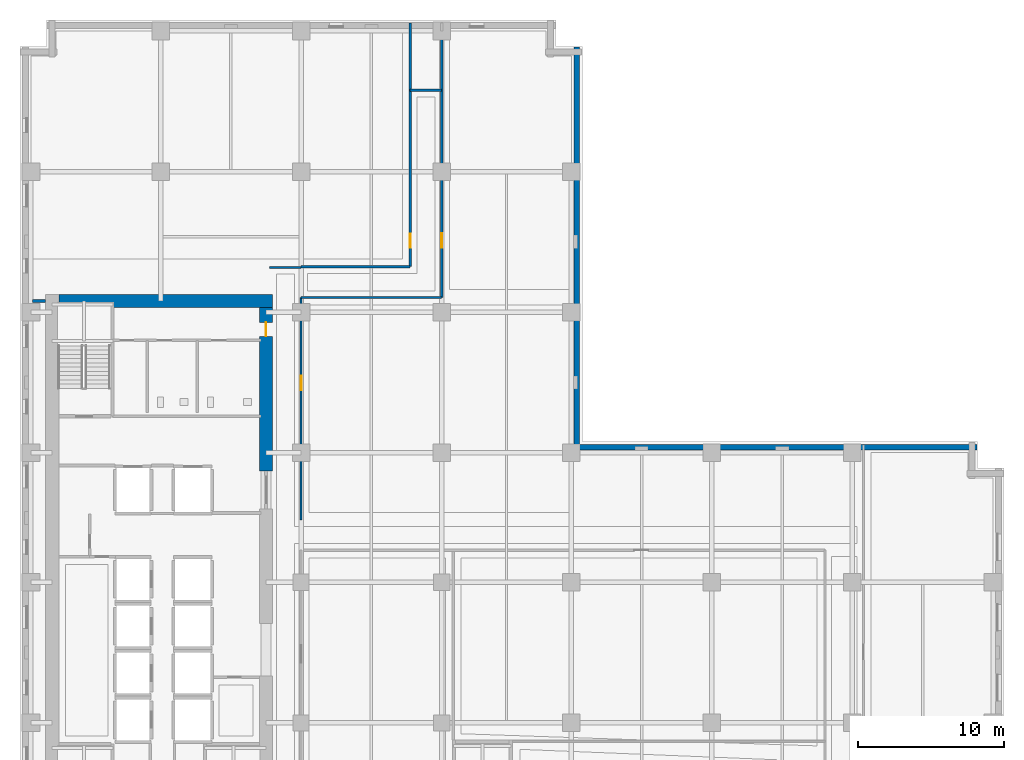
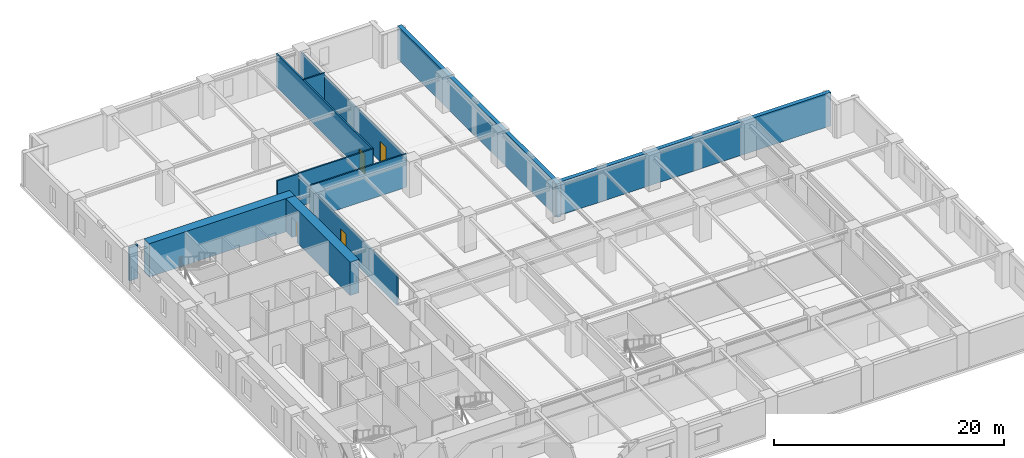
# One storey, part 7 of 14: 12 walls, 4 doors, 4 openings.
"""IFC4 building model written with IfcOpenShell, lengths in metres."""

from ifc_helpers import new_model, si_unit, direction, frame, frame_2d, origin, place, context, subcontext, project, spatial, rectangle, extrude, material, layer, layer_set, type_object, element, fill, save


model = new_model("IFC4")

# Units and contexts
model_context = context("Model", 3, precision=1e-05, world=origin(), true_north=direction((0.0, 1.0)))
body_context = subcontext(model_context, "Body", "Model", "MODEL_VIEW")
ifc_project = project(units=[si_unit("LENGTHUNIT", "METRE"), si_unit("AREAUNIT", "SQUARE_METRE"), si_unit("VOLUMEUNIT", "CUBIC_METRE"), si_unit("PLANEANGLEUNIT", "RADIAN"), si_unit("MASSUNIT", "GRAM", prefix="KILO")], contexts=[model_context])

# Site, building, storey
site_placement = place(None, origin())
site = spatial("IfcSite", under=ifc_project, at=site_placement, CompositionType="ELEMENT")
building_placement = place(site_placement, origin())
building = spatial("IfcBuilding", under=site, at=building_placement, Name="Norrvale University Quadrangle", CompositionType="ELEMENT")
storey_placement = place(building_placement, frame((0.0, 0.0, 50.800048828125)))
storey = spatial("IfcBuildingStorey", under=building, at=storey_placement, Name="L12", CompositionType="ELEMENT", Elevation=50.800048828125)

# Wall
ifc_material_1 = material(Name="Concrete C80/95", Category="concrete")
ifc_layer_1 = layer(ifc_material_1, 0.89990234375, Name="Concrete C80/95")
ifc_layer_set_1 = layer_set([ifc_layer_1], Name="Concrete C80/95")
wall_type_1 = type_object("IfcWallType", Name="Wall Core 900", PredefinedType="SHEAR", material=ifc_layer_set_1)
wall_1_placement = place(storey_placement, frame((2.64990234375, 48.0, 0.0), z_axis=(0.0, 0.0, 1.0), x_axis=(1.0, 0.0, 0.0)))
element("IfcWall", 1, at=wall_1_placement, inside=storey, type_object=wall_type_1, Name="Tower Core Shear Wall L12-N", PredefinedType="SHEAR", context=body_context, shape_type="SweptSolid", body=[
    extrude(rectangle(XDim=14.60009765625, YDim=0.89990234375, at=frame_2d((7.300048828125, 0.0))), origin(), (0.0, 0.0, 1.0), 3.5400390625),
])

# Wall, opening, door
wall_2_placement = place(storey_placement, frame((16.800048828125, 36.39990234375, 0.0), z_axis=(0.0, 0.0, 1.0), x_axis=(0.0, 1.0, 0.0)))
wall_2 = element("IfcWall", 2, at=wall_2_placement, inside=storey, type_object=wall_type_1, Name="Tower Core Shear Wall L12-E3", PredefinedType="SHEAR", context=body_context, shape_type="SweptSolid", body=[
    extrude(rectangle(XDim=11.150146484375, YDim=0.89990234375, at=frame_2d((5.5751953125, 0.0))), origin(), (0.0, 0.0, 1.0), 3.5400390625),
])
opening_1_placement = place(wall_2_placement, frame((9.199951171875, 0.0, 0.0)))
opening_1 = element("IfcOpeningElement", 3, at=opening_1_placement, cuts=wall_2, Name="Opening D07", PredefinedType="OPENING", context=body_context, shape_type="SweptSolid", body=[
    extrude(rectangle(XDim=0.949951171875, YDim=2.14990234375, at=frame_2d((0.47509765625, 1.074951171875))), frame((0.0, 0.4619140625, 0.0), z_axis=(0.0, -1.0, 0.0), x_axis=(1.0, 0.0, 0.0)), (0.0, 0.0, 1.0), 0.923828125),
])
ifc_material_2 = material(Name="Solid-Core Maple Door", Category="wood")
door_type_1 = type_object("IfcDoorType", Name="Door Office 950x2150", OperationType="NOTDEFINED", PredefinedType="DOOR", material=ifc_material_2)
door_1_placement = place(opening_1_placement, origin())
door_1 = element("IfcDoor", 4, at=door_1_placement, inside=storey, type_object=door_type_1, Name="Door Office 950x2150 DR-L12-NECORR", OperationType="SINGLE_SWING_LEFT", OverallHeight=2.14990234375, OverallWidth=0.949951171875, PredefinedType="DOOR", context=body_context, shape_type="SweptSolid", body=[
    extrude(rectangle(XDim=0.949951171875, YDim=2.14990234375, at=frame_2d((0.47509765625, 1.074951171875))), frame((0.0, 0.02490234375, 0.0), z_axis=(0.0, -1.0, 0.0), x_axis=(1.0, 0.0, 0.0)), (0.0, 0.0, 1.0), 0.050048828125),
])
fill(opening_1, door_1)

# Wall
ifc_material_3 = material(Name="Fire-Rated Gypsum Stud Partition")
ifc_layer_2 = layer(ifc_material_3, 0.14990234375, Name="Fire-Rated Gypsum Stud Partition")
ifc_layer_set_2 = layer_set([ifc_layer_2], Name="Fire-Rated Gypsum Stud Partition")
wall_type_2 = type_object("IfcWallType", Name="Wall Gypsum Corridor 150", PredefinedType="PARTITIONING", material=ifc_layer_set_2)
wall_3_placement = place(storey_placement, frame((17.050048828125, 50.300048828125, 0.0), z_axis=(0.0, 0.0, 1.0), x_axis=(1.0, 0.0, 0.0)))
element("IfcWall", 5, at=wall_3_placement, inside=storey, type_object=wall_type_2, Name="Interior Partition WL-L12-CN-END", PredefinedType="PARTITIONING", context=body_context, shape_type="SweptSolid", body=[
    extrude(rectangle(XDim=2.14990234375, YDim=0.14990234375, at=frame_2d((1.074951171875, 0.0))), origin(), (0.0, 0.0, 1.0), 3.5400390625),
])

# Wall, opening, door
wall_4_placement = place(storey_placement, frame((19.199951171875, 33.050048828125, 0.0), z_axis=(0.0, 0.0, 1.0), x_axis=(0.0, 1.0, 0.0)))
wall_4 = element("IfcWall", 6, at=wall_4_placement, inside=storey, type_object=wall_type_2, Name="Interior Partition WL-L12-MNECW", PredefinedType="PARTITIONING", context=body_context, shape_type="SweptSolid", body=[
    extrude(rectangle(XDim=15.199951171875, YDim=0.14990234375, at=frame_2d((7.60009765625, 0.0))), origin(), (0.0, 0.0, 1.0), 3.23193359375),
])
opening_2_placement = place(wall_4_placement, frame((8.85009765625, 0.0, 0.0)))
opening_2 = element("IfcOpeningElement", 7, at=opening_2_placement, cuts=wall_4, Name="Opening D04", PredefinedType="OPENING", context=body_context, shape_type="SweptSolid", body=[
    extrude(rectangle(XDim=1.0, YDim=2.199951171875, at=frame_2d((0.5, 1.10009765625))), frame((0.0, 0.0869140625, 0.0), z_axis=(0.0, -1.0, 0.0), x_axis=(1.0, 0.0, 0.0)), (0.0, 0.0, 1.0), 0.173828125),
])
ifc_material_4 = material(Name="Solid-Core Oak Fire Door", Category="wood")
door_type_2 = type_object("IfcDoorType", Name="Door Corridor 1000x2200", OperationType="NOTDEFINED", PredefinedType="DOOR", material=ifc_material_4)
door_2_placement = place(opening_2_placement, origin())
door_2 = element("IfcDoor", 8, at=door_2_placement, inside=storey, type_object=door_type_2, Name="Door Corridor 1000x2200 DR-L12-MNE01", OperationType="SINGLE_SWING_RIGHT", OverallHeight=2.199951171875, OverallWidth=1.0, PredefinedType="DOOR", context=body_context, shape_type="SweptSolid", body=[
    extrude(rectangle(XDim=1.0, YDim=2.199951171875, at=frame_2d((0.5, 1.10009765625))), frame((0.0, 0.02490234375, 0.0), z_axis=(0.0, -1.0, 0.0), x_axis=(1.0, 0.0, 0.0)), (0.0, 0.0, 1.0), 0.050048828125),
])
fill(opening_2, door_2)

# Walls
wall_5_placement = place(storey_placement, frame((19.199951171875, 48.25, 0.0), z_axis=(0.0, 0.0, 1.0), x_axis=(1.0, 0.0, 0.0)))
element("IfcWall", 9, at=wall_5_placement, inside=storey, type_object=wall_type_2, Name="Interior Partition WL-L12-JOGS", PredefinedType="PARTITIONING", context=body_context, shape_type="SweptSolid", body=[
    extrude(rectangle(XDim=9.60009765625, YDim=0.14990234375, at=frame_2d((4.800048828125, 0.0))), origin(), (0.0, 0.0, 1.0), 3.5400390625),
])
wall_6_placement = place(storey_placement, frame((19.199951171875, 50.35009765625, 0.0), z_axis=(0.0, 0.0, 1.0), x_axis=(1.0, 0.0, 0.0)))
element("IfcWall", 10, at=wall_6_placement, inside=storey, type_object=wall_type_2, Name="Interior Partition WL-L12-JOGN", PredefinedType="PARTITIONING", context=body_context, shape_type="SweptSolid", body=[
    extrude(rectangle(XDim=7.449951171875, YDim=0.14990234375, at=frame_2d((3.72509765625, 0.0))), origin(), (0.0, 0.0, 1.0), 3.5400390625),
])
wall_7_placement = place(storey_placement, frame((26.64990234375, 62.39990234375, 0.0), z_axis=(0.0, 0.0, 1.0), x_axis=(1.0, 0.0, 0.0)))
element("IfcWall", 11, at=wall_7_placement, inside=storey, type_object=wall_type_2, Name="Interior Partition WL-L12-JOGEND", PredefinedType="PARTITIONING", context=body_context, shape_type="SweptSolid", body=[
    extrude(rectangle(XDim=2.150146484375, YDim=0.14990234375, at=frame_2d((1.0751953125, 0.0))), origin(), (0.0, 0.0, 1.0), 3.5400390625),
])

# Wall, opening, door
wall_8_placement = place(storey_placement, frame((28.800048828125, 48.25, 0.0), z_axis=(0.0, 0.0, 1.0), x_axis=(0.0, 1.0, 0.0)))
wall_8 = element("IfcWall", 12, at=wall_8_placement, inside=storey, type_object=wall_type_2, Name="Interior Partition WL-L12-NECW", PredefinedType="PARTITIONING", context=body_context, shape_type="SweptSolid", body=[
    extrude(rectangle(XDim=18.199951171875, YDim=0.14990234375, at=frame_2d((9.10009765625, 0.0))), origin(), (0.0, 0.0, 1.0), 3.23193359375),
])
opening_3_placement = place(wall_8_placement, frame((3.39990234375, 0.0, 0.0)))
opening_3 = element("IfcOpeningElement", 13, at=opening_3_placement, cuts=wall_8, Name="Opening D04", PredefinedType="OPENING", context=body_context, shape_type="SweptSolid", body=[
    extrude(rectangle(XDim=1.0, YDim=2.199951171875, at=frame_2d((0.5, 1.10009765625))), frame((0.0, 0.0869140625, 0.0), z_axis=(0.0, -1.0, 0.0), x_axis=(1.0, 0.0, 0.0)), (0.0, 0.0, 1.0), 0.173828125),
])
door_3_placement = place(opening_3_placement, origin())
door_3 = element("IfcDoor", 14, at=door_3_placement, inside=storey, type_object=door_type_2, Name="Door Corridor 1000x2200 DR-L12-NE01", OperationType="SINGLE_SWING_RIGHT", OverallHeight=2.199951171875, OverallWidth=1.0, PredefinedType="DOOR", context=body_context, shape_type="SweptSolid", body=[
    extrude(rectangle(XDim=1.0, YDim=2.199951171875, at=frame_2d((0.5, 1.10009765625))), frame((0.0, 0.02490234375, 0.0), z_axis=(0.0, -1.0, 0.0), x_axis=(1.0, 0.0, 0.0)), (0.0, 0.0, 1.0), 0.050048828125),
])
fill(opening_3, door_3)

wall_9_placement = place(storey_placement, frame((26.64990234375, 50.35009765625, 0.0), z_axis=(0.0, 0.0, 1.0), x_axis=(0.0, 1.0, 0.0)))
wall_9 = element("IfcWall", 15, at=wall_9_placement, inside=storey, type_object=wall_type_2, Name="Interior Partition WL-L12-NWCW", PredefinedType="PARTITIONING", context=body_context, shape_type="SweptSolid", body=[
    extrude(rectangle(XDim=16.6298828125, YDim=0.14990234375, at=frame_2d((8.31494140625, 0.0))), origin(), (0.0, 0.0, 1.0), 3.5400390625),
])
opening_4_placement = place(wall_9_placement, frame((1.300048828125, 0.0, 0.0)))
opening_4 = element("IfcOpeningElement", 16, at=opening_4_placement, cuts=wall_9, Name="Opening D07", PredefinedType="OPENING", context=body_context, shape_type="SweptSolid", body=[
    extrude(rectangle(XDim=0.949951171875, YDim=2.14990234375, at=frame_2d((0.47509765625, 1.074951171875))), frame((0.0, 0.0869140625, 0.0), z_axis=(0.0, -1.0, 0.0), x_axis=(1.0, 0.0, 0.0)), (0.0, 0.0, 1.0), 0.173828125),
])
door_4_placement = place(opening_4_placement, origin())
door_4 = element("IfcDoor", 17, at=door_4_placement, inside=storey, type_object=door_type_1, Name="Door Office 950x2150 DR-L12-NW01", OperationType="SINGLE_SWING_RIGHT", OverallHeight=2.14990234375, OverallWidth=0.949951171875, PredefinedType="DOOR", context=body_context, shape_type="SweptSolid", body=[
    extrude(rectangle(XDim=0.949951171875, YDim=2.14990234375, at=frame_2d((0.47509765625, 1.074951171875))), frame((0.0, 0.02490234375, 0.0), z_axis=(0.0, -1.0, 0.0), x_axis=(1.0, 0.0, 0.0)), (0.0, 0.0, 1.0), 0.050048828125),
])
fill(opening_4, door_4)

# Walls
ifc_material_5 = material(Name="Concrete Blockwork 20 MPa Rated Wall", Category="masonry")
ifc_layer_3 = layer(ifc_material_5, 0.199951171875, Name="Concrete Blockwork 20 MPa Rated Wall")
ifc_layer_set_3 = layer_set([ifc_layer_3], Name="Concrete Blockwork 20 MPa Rated Wall")
wall_type_3 = type_object("IfcWallType", Name="Wall Lobby 200", PredefinedType="SOLIDWALL", material=ifc_layer_set_3)
wall_10_placement = place(storey_placement, frame((0.85009765625, 48.0, 0.0), z_axis=(0.0, 0.0, 1.0), x_axis=(1.0, 0.0, 0.0)))
element("IfcWall", 18, at=wall_10_placement, inside=storey, type_object=wall_type_3, Name="Interior Partition WL-L12-CWRET-N", PredefinedType="SOLIDWALL", context=body_context, shape_type="SweptSolid", body=[
    extrude(rectangle(XDim=0.89501953125, YDim=0.199951171875, at=frame_2d((0.447509765625, 0.0))), origin(), (0.0, 0.0, 1.0), 3.5400390625),
])
ifc_material_6 = material(Name="Red Manganese Brick Masonry", Category="masonry")
ifc_layer_4 = layer(ifc_material_6, 0.39990234375, Name="Red Manganese Brick Masonry")
ifc_layer_set_4 = layer_set([ifc_layer_4], Name="Red Manganese Brick Masonry")
wall_type_4 = type_object("IfcWallType", Name="Wall Red Brick 400", PredefinedType="SOLIDWALL", material=ifc_layer_set_4)
for number, where, z_axis, x_axis, name in (
    (19, (65.360107421875, 38.02001953125, 0.0), (0.0, 0.0, 1.0), (-1.0, 0.0, 0.0), "Exterior Brick Facade Wall L12-07.1"),
    (20, (38.02001953125, 37.679931640625, 0.0), (0.0, 0.0, 1.0), (0.0, 1.0, 0.0), "Exterior Brick Facade Wall L12-08.1"),
):
    element("IfcWall", number, at=place(storey_placement, frame(where, z_axis=z_axis, x_axis=x_axis)), inside=storey, type_object=wall_type_4, Name=name, PredefinedType="SOLIDWALL", context=body_context, shape_type="SweptSolid", body=[
        extrude(rectangle(XDim=27.68017578125, YDim=0.39990234375, at=frame_2d((13.840087890625, 0.0))), origin(), (0.0, 0.0, 1.0), 3.5400390625),
    ])

save(model, "model.ifc")
